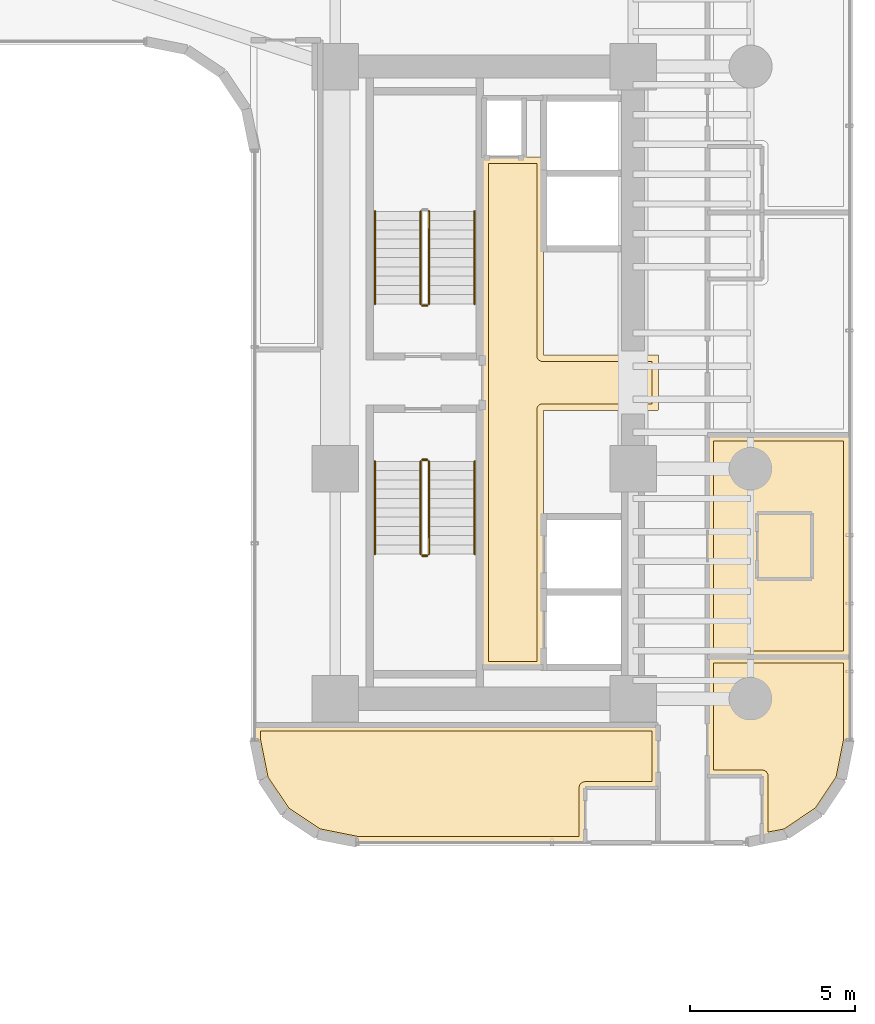
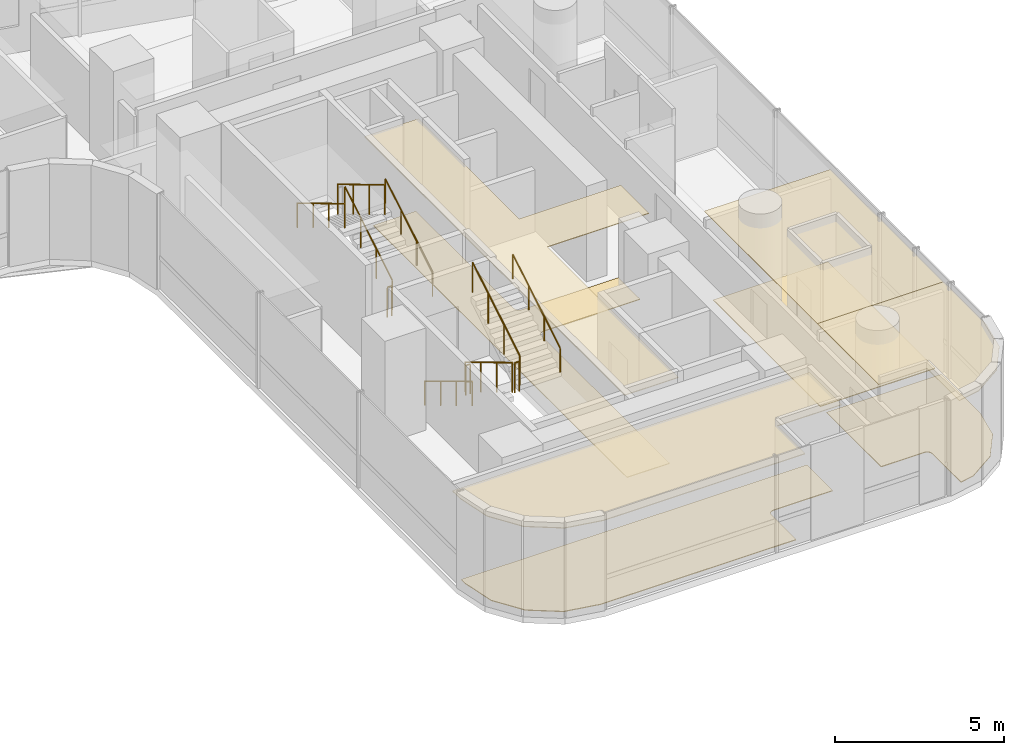
# One storey, part 38 of 40: 11 railings, 8 coverings.
"""IFC4 building model written with IfcOpenShell, lengths in metres."""

from ifc_helpers import new_model, si_unit, direction, frame, origin, origin_2d, place, context, subcontext, project, spatial, polyline, circle, outline, extrude, material, layer, layer_set, type_object, element, save


model = new_model("IFC4")

# Units and contexts
model_context = context("Model", 3, precision=1e-05, world=origin(), true_north=direction((0.0, 1.0)))
body_context = subcontext(model_context, "Body", "Model", "MODEL_VIEW")
ifc_project = project(units=[si_unit("LENGTHUNIT", "METRE"), si_unit("AREAUNIT", "SQUARE_METRE"), si_unit("VOLUMEUNIT", "CUBIC_METRE"), si_unit("PLANEANGLEUNIT", "RADIAN"), si_unit("MASSUNIT", "GRAM", prefix="KILO")], contexts=[model_context])

# Site, building, storey
site_placement = place(None, origin())
site = spatial("IfcSite", under=ifc_project, at=site_placement, CompositionType="ELEMENT")
building_placement = place(site_placement, origin())
building = spatial("IfcBuilding", under=site, at=building_placement, Name="Valdorenza Pilgrim Sanctuary Tower", CompositionType="ELEMENT")
storey_placement = place(building_placement, frame((0.0, 0.0, 66.699951171875)))
storey = spatial("IfcBuildingStorey", under=building, at=storey_placement, Name="L16", CompositionType="ELEMENT", Elevation=66.699951171875)

# Coverings
ifc_material_1 = material(Name="Micro-perforated acoustic mineral ceiling tile", Category="gypsum")
ifc_layer_1 = layer(ifc_material_1, 0.02490234375, Name="Micro-perforated acoustic mineral ceiling tile")
ifc_layer_set_1 = layer_set([ifc_layer_1], Name="Micro-perforated acoustic mineral ceiling tile")
covering_type_1 = type_object("IfcCoveringType", Name="COV-CLG-ACU", PredefinedType="CEILING", material=ifc_layer_set_1)
covering_1_placement = place(storey_placement, frame((0.0, 0.0, 3.16015625)))
element("IfcCovering", 1, at=covering_1_placement, inside=storey, type_object=covering_type_1, Name="L16 Core B Passenger Lift Lobby Acoustic Ceiling", PredefinedType="CEILING", context=body_context, shape_type="SweptSolid", body=[
    extrude(outline(polyline([(20.287109375, -0.814697265625), (20.287109375, 0.814697265625), (20.28662109375, 0.815185546875), (20.2861328125, 0.81640625), (20.28564453125, 0.81787109375), (20.285400390625, 0.819091796875), (20.28515625, 0.820556640625), (20.284912109375, 0.822021484375), (20.284912109375, 6.800048828125), (20.28515625, 6.801513671875), (20.285400390625, 6.802978515625), (20.28564453125, 6.804443359375), (20.2861328125, 6.8056640625), (20.286865234375, 6.80712890625), (20.28759765625, 6.808349609375), (20.288330078125, 6.8095703125), (20.289306640625, 6.810546875), (20.29052734375, 6.8115234375), (20.291748046875, 6.8125), (20.29296875, 6.813232421875), (20.294189453125, 6.81396484375), (20.295654296875, 6.814453125), (20.297119140625, 6.814697265625), (20.298583984375, 6.81494140625), (20.300048828125, 6.81494140625), (20.347900390625, 6.81494140625), (20.349365234375, 6.81494140625), (20.350830078125, 6.814697265625), (20.352294921875, 6.814453125), (20.353515625, 6.81396484375), (20.35498046875, 6.813232421875), (20.35546875, 6.81298828125), (21.544677734375, 6.81298828125), (21.545166015625, 6.813232421875), (21.54638671875, 6.81396484375), (21.5478515625, 6.814453125), (21.54931640625, 6.814697265625), (21.550537109375, 6.81494140625), (21.552001953125, 6.81494140625), (22.1201171875, 6.81494140625), (22.12158203125, 6.81494140625), (22.122802734375, 6.814697265625), (22.12451171875, 6.814453125), (22.125732421875, 6.81396484375), (22.127197265625, 6.813232421875), (22.12841796875, 6.8125), (22.12939453125, 6.8115234375), (22.130615234375, 6.810546875), (22.131591796875, 6.8095703125), (22.132568359375, 6.808349609375), (22.13330078125, 6.80712890625), (22.1337890625, 6.8056640625), (22.134521484375, 6.804443359375), (22.134765625, 6.802978515625), (22.135009765625, 6.801513671875), (22.135009765625, 6.800048828125), (22.135009765625, 0.8349609375), (25.60009765625, 0.8349609375), (25.6015625, 0.8349609375), (25.602783203125, 0.834716796875), (25.6044921875, 0.83447265625), (25.605712890625, 0.833984375), (25.607177734375, 0.833251953125), (25.6083984375, 0.83251953125), (25.609619140625, 0.83154296875), (25.610595703125, 0.83056640625), (25.611572265625, 0.82958984375), (25.612548828125, 0.828369140625), (25.61328125, 0.8271484375), (25.614013671875, 0.82568359375), (25.614501953125, 0.824462890625), (25.61474609375, 0.822998046875), (25.614990234375, 0.821533203125), (25.614990234375, 0.820068359375), (25.614990234375, -0.820068359375), (25.614990234375, -0.821533203125), (25.61474609375, -0.822998046875), (25.614501953125, -0.824462890625), (25.614013671875, -0.82568359375), (25.61328125, -0.8271484375), (25.612548828125, -0.828369140625), (25.611572265625, -0.82958984375), (25.610595703125, -0.83056640625), (25.609619140625, -0.83154296875), (25.6083984375, -0.83251953125), (25.607177734375, -0.833251953125), (25.605712890625, -0.833984375), (25.6044921875, -0.83447265625), (25.602783203125, -0.834716796875), (25.6015625, -0.8349609375), (25.60009765625, -0.8349609375), (22.135009765625, -0.8349609375), (22.135009765625, -8.60009765625), (22.135009765625, -8.6015625), (22.134765625, -8.602783203125), (22.134521484375, -8.6044921875), (22.1337890625, -8.605712890625), (22.13330078125, -8.607177734375), (22.132568359375, -8.6083984375), (22.131591796875, -8.609619140625), (22.130615234375, -8.610595703125), (22.12939453125, -8.611572265625), (22.12841796875, -8.612548828125), (22.127197265625, -8.61328125), (22.125732421875, -8.614013671875), (22.12451171875, -8.614501953125), (22.122802734375, -8.61474609375), (22.12158203125, -8.614990234375), (22.1201171875, -8.614990234375), (20.300048828125, -8.614990234375), (20.298583984375, -8.614990234375), (20.297119140625, -8.61474609375), (20.295654296875, -8.614501953125), (20.294189453125, -8.614013671875), (20.29296875, -8.61328125), (20.291748046875, -8.612548828125), (20.29052734375, -8.611572265625), (20.289306640625, -8.610595703125), (20.288330078125, -8.609619140625), (20.28759765625, -8.6083984375), (20.286865234375, -8.607177734375), (20.2861328125, -8.605712890625), (20.28564453125, -8.6044921875), (20.285400390625, -8.602783203125), (20.28515625, -8.6015625), (20.284912109375, -8.60009765625), (20.284912109375, -0.822021484375), (20.28515625, -0.820556640625), (20.285400390625, -0.819091796875), (20.28564453125, -0.81787109375), (20.2861328125, -0.81640625), (20.28662109375, -0.815185546875), (20.287109375, -0.814697265625)])), origin(), (0.0, 0.0, 1.0), 0.02490234375),
])
covering_2_placement = place(storey_placement, frame((0.0, 0.0, 3.16015625)))
element("IfcCovering", 2, at=covering_2_placement, inside=storey, type_object=covering_type_1, Name="L16 East South Guest Room L16-ES1 Acoustic Ceiling", PredefinedType="CEILING", context=body_context, shape_type="SweptSolid", body=[
    extrude(outline(polyline([(23.4130859375, -12.2529296875), (23.4130859375, -13.889892578125), (23.412841796875, -13.8916015625), (23.41259765625, -13.892822265625), (23.412353515625, -13.894287109375), (23.411865234375, -13.895751953125), (23.4111328125, -13.897216796875), (23.410400390625, -13.898193359375), (23.40966796875, -13.8994140625), (23.40869140625, -13.900634765625), (23.407470703125, -13.901611328125), (23.40625, -13.902587890625), (23.405029296875, -13.9033203125), (23.40380859375, -13.90380859375), (23.40234375, -13.904296875), (23.40087890625, -13.90478515625), (23.3994140625, -13.90478515625), (23.39794921875, -13.905029296875), (16.5107421875, -13.905029296875), (16.509521484375, -13.90478515625), (16.5078125, -13.90478515625), (15.3154296875, -13.66748046875), (15.31396484375, -13.6669921875), (15.3125, -13.66650390625), (15.311279296875, -13.666015625), (15.31005859375, -13.665283203125), (14.308349609375, -12.995849609375), (14.30712890625, -12.9951171875), (14.305908203125, -12.993896484375), (14.304931640625, -12.992919921875), (14.30419921875, -12.99169921875), (13.634765625, -11.989990234375), (13.634033203125, -11.98876953125), (13.63330078125, -11.9873046875), (13.6328125, -11.986083984375), (13.632568359375, -11.984619140625), (13.395263671875, -10.7919921875), (13.39501953125, -10.79052734375), (13.39501953125, -10.789306640625), (13.39501953125, -10.35009765625), (13.39501953125, -10.348388671875), (13.395263671875, -10.34716796875), (13.3955078125, -10.345703125), (13.39599609375, -10.34423828125), (13.396728515625, -10.343017578125), (13.3974609375, -10.341796875), (13.3984375, -10.340576171875), (13.3994140625, -10.33935546875), (13.400390625, -10.33837890625), (13.401611328125, -10.33740234375), (13.40283203125, -10.3369140625), (13.404296875, -10.336181640625), (13.405517578125, -10.335693359375), (13.406982421875, -10.335205078125), (13.408447265625, -10.335205078125), (13.409912109375, -10.3349609375), (25.60009765625, -10.3349609375), (25.6015625, -10.335205078125), (25.602783203125, -10.335205078125), (25.6044921875, -10.335693359375), (25.605712890625, -10.336181640625), (25.607177734375, -10.3369140625), (25.6083984375, -10.33740234375), (25.609619140625, -10.33837890625), (25.610595703125, -10.33935546875), (25.611572265625, -10.340576171875), (25.612548828125, -10.341796875), (25.61328125, -10.343017578125), (25.614013671875, -10.34423828125), (25.614501953125, -10.345703125), (25.61474609375, -10.34716796875), (25.614990234375, -10.348388671875), (25.614990234375, -10.35009765625), (25.614990234375, -12.238037109375), (25.614990234375, -12.239501953125), (25.61474609375, -12.240966796875), (25.614501953125, -12.242431640625), (25.614013671875, -12.24365234375), (25.61328125, -12.2451171875), (25.612548828125, -12.246337890625), (25.611572265625, -12.24755859375), (25.610595703125, -12.24853515625), (25.609619140625, -12.24951171875), (25.6083984375, -12.25048828125), (25.607177734375, -12.251220703125), (25.605712890625, -12.251953125), (25.6044921875, -12.25244140625), (25.602783203125, -12.252685546875), (25.6015625, -12.2529296875), (25.60009765625, -12.2529296875), (23.4130859375, -12.2529296875)])), origin(), (0.0, 0.0, 1.0), 0.02490234375),
])
covering_3_placement = place(storey_placement, frame((0.0, 0.0, 3.16015625)))
element("IfcCovering", 3, at=covering_3_placement, inside=storey, type_object=covering_type_1, Name="L16 East Sanctuary Guest Room L16-EG1 Acoustic Ceiling", PredefinedType="CEILING", context=body_context, shape_type="SweptSolid", body=[
    extrude(outline(polyline([(28.737060546875, -11.903076171875), (27.10009765625, -11.903076171875), (27.098388671875, -11.90283203125), (27.09716796875, -11.902587890625), (27.095703125, -11.90234375), (27.09423828125, -11.90185546875), (27.093017578125, -11.901123046875), (27.091796875, -11.900390625), (27.090576171875, -11.899658203125), (27.08935546875, -11.898681640625), (27.08837890625, -11.8974609375), (27.08740234375, -11.896240234375), (27.0869140625, -11.89501953125), (27.086181640625, -11.893798828125), (27.085693359375, -11.892333984375), (27.085205078125, -11.890869140625), (27.085205078125, -11.889404296875), (27.0849609375, -11.887939453125), (27.0849609375, -8.287109375), (27.085205078125, -8.285400390625), (27.085205078125, -8.2841796875), (27.085693359375, -8.28271484375), (27.086181640625, -8.28125), (27.0869140625, -8.27978515625), (27.08740234375, -8.27880859375), (27.08837890625, -8.277587890625), (27.08935546875, -8.2763671875), (27.090576171875, -8.275390625), (27.091796875, -8.2744140625), (27.093017578125, -8.273681640625), (27.09423828125, -8.273193359375), (27.095703125, -8.272705078125), (27.09716796875, -8.272216796875), (27.098388671875, -8.272216796875), (27.10009765625, -8.27197265625), (31.389892578125, -8.27197265625), (31.3916015625, -8.272216796875), (31.392822265625, -8.272216796875), (31.394287109375, -8.272705078125), (31.395751953125, -8.273193359375), (31.397216796875, -8.273681640625), (31.398193359375, -8.2744140625), (31.3994140625, -8.275390625), (31.400634765625, -8.2763671875), (31.401611328125, -8.277587890625), (31.402587890625, -8.27880859375), (31.4033203125, -8.27978515625), (31.40380859375, -8.28125), (31.404296875, -8.28271484375), (31.40478515625, -8.2841796875), (31.40478515625, -8.285400390625), (31.405029296875, -8.287109375), (31.405029296875, -10.789306640625), (31.40478515625, -10.79052734375), (31.40478515625, -10.7919921875), (31.16748046875, -11.984619140625), (31.1669921875, -11.986083984375), (31.16650390625, -11.9873046875), (31.166015625, -11.98876953125), (31.165283203125, -11.989990234375), (30.495849609375, -12.99169921875), (30.4951171875, -12.992919921875), (30.493896484375, -12.993896484375), (30.492919921875, -12.9951171875), (30.49169921875, -12.995849609375), (29.489990234375, -13.665283203125), (29.48876953125, -13.666015625), (29.4873046875, -13.66650390625), (29.486083984375, -13.6669921875), (29.484619140625, -13.66748046875), (28.7548828125, -13.8125), (28.75341796875, -13.81298828125), (28.751953125, -13.81298828125), (28.75048828125, -13.81298828125), (28.7490234375, -13.8125), (28.74755859375, -13.812255859375), (28.746337890625, -13.811767578125), (28.744873046875, -13.811279296875), (28.74365234375, -13.810302734375), (28.742431640625, -13.8095703125), (28.741455078125, -13.80859375), (28.740478515625, -13.807373046875), (28.739501953125, -13.806396484375), (28.73876953125, -13.804931640625), (28.738037109375, -13.8037109375), (28.737548828125, -13.80224609375), (28.7373046875, -13.80078125), (28.737060546875, -13.79931640625), (28.737060546875, -13.7978515625), (28.737060546875, -11.903076171875)])), origin(), (0.0, 0.0, 1.0), 0.02490234375),
])
covering_4_placement = place(storey_placement, frame((0.0, 0.0, 3.16015625)))
element("IfcCovering", 4, at=covering_4_placement, inside=storey, type_object=covering_type_1, Name="L16 East Sanctuary Guest Room L16-EG2 Acoustic Ceiling", PredefinedType="CEILING", context=body_context, shape_type="SweptSolid", body=[
    extrude(outline(polyline([(31.389892578125, -1.56005859375), (31.3916015625, -1.56005859375), (31.392822265625, -1.560302734375), (31.394287109375, -1.560546875), (31.395751953125, -1.56103515625), (31.397216796875, -1.561767578125), (31.398193359375, -1.5625), (31.3994140625, -1.5634765625), (31.400634765625, -1.564453125), (31.401611328125, -1.5654296875), (31.402587890625, -1.566650390625), (31.4033203125, -1.56787109375), (31.40380859375, -1.5693359375), (31.404296875, -1.570556640625), (31.40478515625, -1.572021484375), (31.40478515625, -1.573486328125), (31.405029296875, -1.574951171875), (31.405029296875, -8.284912109375), (31.40478515625, -8.28662109375), (31.40478515625, -8.287841796875), (31.404296875, -8.289306640625), (31.40380859375, -8.290771484375), (31.4033203125, -8.2919921875), (31.402587890625, -8.293212890625), (31.401611328125, -8.29443359375), (31.400634765625, -8.295654296875), (31.3994140625, -8.296630859375), (31.398193359375, -8.297607421875), (31.397216796875, -8.298095703125), (31.395751953125, -8.298828125), (31.394287109375, -8.29931640625), (31.392822265625, -8.2998046875), (31.3916015625, -8.2998046875), (31.389892578125, -8.300048828125), (27.10009765625, -8.300048828125), (27.098388671875, -8.2998046875), (27.09716796875, -8.2998046875), (27.095703125, -8.29931640625), (27.09423828125, -8.298828125), (27.093017578125, -8.298095703125), (27.091796875, -8.297607421875), (27.090576171875, -8.296630859375), (27.08935546875, -8.295654296875), (27.08837890625, -8.29443359375), (27.08740234375, -8.293212890625), (27.0869140625, -8.2919921875), (27.086181640625, -8.290771484375), (27.085693359375, -8.289306640625), (27.085205078125, -8.287841796875), (27.085205078125, -8.28662109375), (27.0849609375, -8.284912109375), (27.0849609375, -1.574951171875), (27.085205078125, -1.573486328125), (27.085205078125, -1.572021484375), (27.085693359375, -1.570556640625), (27.086181640625, -1.5693359375), (27.0869140625, -1.56787109375), (27.08740234375, -1.566650390625), (27.08837890625, -1.5654296875), (27.08935546875, -1.564453125), (27.090576171875, -1.5634765625), (27.091796875, -1.5625), (27.093017578125, -1.561767578125), (27.09423828125, -1.56103515625), (27.095703125, -1.560546875), (27.09716796875, -1.560302734375), (27.098388671875, -1.56005859375), (27.10009765625, -1.56005859375), (31.389892578125, -1.56005859375)])), origin(), (0.0, 0.0, 1.0), 0.02490234375),
])
ifc_material_2 = material(Name="Engineered European oak timber flooring", Category="wood")
ifc_layer_2 = layer(ifc_material_2, 0.02197265625, Name="Engineered European oak timber flooring")
ifc_layer_set_2 = layer_set([ifc_layer_2], Name="Engineered European oak timber flooring")
covering_type_2 = type_object("IfcCoveringType", Name="COV-FLR-OAK", PredefinedType="FLOORING", material=ifc_layer_set_2)
covering_5_placement = place(storey_placement, origin())
element("IfcCovering", 5, at=covering_5_placement, inside=storey, type_object=covering_type_2, Name="L16 East South Guest Room L16-ES1 Flooring", PredefinedType="FLOORING", context=body_context, shape_type="SweptSolid", body=[
    extrude(outline(polyline([(25.419921875, -10.530029296875), (25.419921875, -12.05810546875), (23.39990234375, -12.05810546875), (23.39111328125, -12.05810546875), (23.39111328125, -12.05810546875), (23.373291015625, -12.06005859375), (23.373291015625, -12.06005859375), (23.35595703125, -12.0634765625), (23.355712890625, -12.0634765625), (23.3388671875, -12.068603515625), (23.338623046875, -12.068603515625), (23.322265625, -12.075439453125), (23.322021484375, -12.075439453125), (23.306396484375, -12.083740234375), (23.306396484375, -12.083984375), (23.291748046875, -12.09375), (23.29150390625, -12.093994140625), (23.27783203125, -12.10498046875), (23.277587890625, -12.105224609375), (23.26513671875, -12.11767578125), (23.26513671875, -12.117919921875), (23.25390625, -12.131591796875), (23.25390625, -12.131591796875), (23.243896484375, -12.146484375), (23.243896484375, -12.146484375), (23.235595703125, -12.162109375), (23.2353515625, -12.162353515625), (23.228759765625, -12.1787109375), (23.228515625, -12.1787109375), (23.223388671875, -12.19580078125), (23.223388671875, -12.19580078125), (23.219970703125, -12.213134765625), (23.219970703125, -12.21337890625), (23.21826171875, -12.23095703125), (23.21826171875, -12.231201171875), (23.218017578125, -12.239990234375), (23.218017578125, -13.7099609375), (16.528564453125, -13.7099609375), (15.388671875, -13.483154296875), (14.4462890625, -12.853515625), (13.81689453125, -11.911376953125), (13.590087890625, -10.771484375), (13.590087890625, -10.530029296875), (25.419921875, -10.530029296875)])), origin(), (0.0, 0.0, 1.0), 0.025146484375),
])
covering_6_placement = place(storey_placement, origin())
element("IfcCovering", 6, at=covering_6_placement, inside=storey, type_object=covering_type_2, Name="L16 East Sanctuary Guest Room L16-EG1 Flooring", PredefinedType="FLOORING", context=body_context, shape_type="SweptSolid", body=[
    extrude(outline(polyline([(31.2099609375, -10.771484375), (30.983154296875, -11.911376953125), (30.353515625, -12.853515625), (29.411376953125, -13.483154296875), (28.931884765625, -13.57861328125), (28.931884765625, -11.889892578125), (28.931884765625, -11.881103515625), (28.931884765625, -11.881103515625), (28.929931640625, -11.86328125), (28.929931640625, -11.86328125), (28.926513671875, -11.845947265625), (28.926513671875, -11.845703125), (28.92138671875, -11.828857421875), (28.92138671875, -11.82861328125), (28.91455078125, -11.812255859375), (28.91455078125, -11.81201171875), (28.90625, -11.79638671875), (28.906005859375, -11.79638671875), (28.896240234375, -11.78173828125), (28.89599609375, -11.781494140625), (28.885009765625, -11.767822265625), (28.884765625, -11.767578125), (28.872314453125, -11.755126953125), (28.8720703125, -11.755126953125), (28.8583984375, -11.743896484375), (28.8583984375, -11.743896484375), (28.843505859375, -11.73388671875), (28.843505859375, -11.73388671875), (28.827880859375, -11.7255859375), (28.82763671875, -11.725341796875), (28.811279296875, -11.71875), (28.811279296875, -11.718505859375), (28.794189453125, -11.71337890625), (28.794189453125, -11.71337890625), (28.77685546875, -11.7099609375), (28.776611328125, -11.7099609375), (28.759033203125, -11.708251953125), (28.7587890625, -11.708251953125), (28.75, -11.7080078125), (27.280029296875, -11.7080078125), (27.280029296875, -8.467041015625), (31.2099609375, -8.467041015625), (31.2099609375, -10.771484375)])), origin(), (0.0, 0.0, 1.0), 0.025146484375),
])
covering_7_placement = place(storey_placement, origin())
element("IfcCovering", 7, at=covering_7_placement, inside=storey, type_object=covering_type_2, Name="L16 East Sanctuary Guest Room L16-EG2 Flooring", PredefinedType="FLOORING", context=body_context, shape_type="SweptSolid", body=[
    extrude(outline(polyline([(31.2099609375, -1.7548828125), (31.2099609375, -8.10498046875), (27.280029296875, -8.10498046875), (27.280029296875, -1.7548828125), (31.2099609375, -1.7548828125)])), origin(), (0.0, 0.0, 1.0), 0.025146484375),
])
ifc_material_3 = material(Name="Honed travertine stone flooring", Category="masonry")
ifc_layer_3 = layer(ifc_material_3, 0.030029296875, Name="Honed travertine stone flooring")
ifc_layer_set_3 = layer_set([ifc_layer_3], Name="Honed travertine stone flooring")
covering_type_3 = type_object("IfcCoveringType", Name="COV-FLR-TRV", PredefinedType="FLOORING", material=ifc_layer_set_3)
covering_8_placement = place(storey_placement, origin())
element("IfcCovering", 8, at=covering_8_placement, inside=storey, type_object=covering_type_3, Name="L16 Core B Passenger Lift Lobby Flooring", PredefinedType="FLOORING", context=body_context, shape_type="SweptSolid", body=[
    extrude(outline(polyline([(20.47998046875, 6.617919921875), (21.550048828125, 6.617919921875), (21.550537109375, 6.617919921875), (21.93994140625, 6.619384765625), (21.93994140625, 0.820068359375), (21.94091796875, 0.802490234375), (21.943603515625, 0.784912109375), (21.94775390625, 0.767578125), (21.95361328125, 0.751220703125), (21.961181640625, 0.735107421875), (21.97021484375, 0.719970703125), (21.98095703125, 0.705810546875), (21.99267578125, 0.692626953125), (22.005859375, 0.680908203125), (22.02001953125, 0.67041015625), (22.03515625, 0.661376953125), (22.051025390625, 0.65380859375), (22.067626953125, 0.647705078125), (22.0849609375, 0.6435546875), (22.102294921875, 0.640869140625), (22.1201171875, 0.639892578125), (25.419921875, 0.639892578125), (25.419921875, -0.639892578125), (22.1201171875, -0.639892578125), (22.102294921875, -0.640869140625), (22.0849609375, -0.6435546875), (22.067626953125, -0.647705078125), (22.051025390625, -0.65380859375), (22.03515625, -0.661376953125), (22.02001953125, -0.67041015625), (22.005859375, -0.680908203125), (21.99267578125, -0.692626953125), (21.98095703125, -0.705810546875), (21.97021484375, -0.719970703125), (21.961181640625, -0.735107421875), (21.95361328125, -0.751220703125), (21.94775390625, -0.767578125), (21.943603515625, -0.784912109375), (21.94091796875, -0.802490234375), (21.93994140625, -0.820068359375), (21.93994140625, -8.419921875), (20.47998046875, -8.419921875), (20.47998046875, -0.846923828125), (20.47998046875, -0.8466796875), (20.47998046875, -0.8466796875), (20.481689453125, -0.8291015625), (20.481689453125, -0.828857421875), (20.48193359375, -0.820068359375), (20.48193359375, 0.820068359375), (20.47998046875, 6.617919921875)])), origin(), (0.0, 0.0, 1.0), 0.025146484375),
])

# Railings
ifc_material_4 = material(Name="Stainless steel Grade 316", Category="steel")
railing_type_1 = type_object("IfcRailingType", Name="RLG-GRD-1120", PredefinedType="GUARDRAIL", material=ifc_material_4)
railing_1_placement = place(storey_placement, frame((18.679931640625, 2.3798828125, 0.168212890625)))
element("IfcRailing", 9, at=railing_1_placement, inside=storey, type_object=railing_type_1, Name="L16 ST-B1 stair guard 1", PredefinedType="GUARDRAIL", context=body_context, shape_type="SweptSolid", body=[
    extrude(circle(Radius=0.02392578125, at=origin_2d()), frame((0.0, 0.0, 1.076171875), z_axis=(0.0, 0.857242210791, 0.514913383045), x_axis=(-1.0, 0.0, 0.0)), (0.0, 0.0, 1.0), 3.266357421875),
    extrude(circle(Radius=0.02099609375, at=origin_2d()), origin(), (0.0, 0.0, 1.0), 1.052001953125),
    extrude(circle(Radius=0.02099609375, at=origin_2d()), frame((0.0, 0.933349609375, 0.560546875)), (0.0, 0.0, 1.0), 1.052001953125),
    extrude(circle(Radius=0.02099609375, at=origin_2d()), frame((0.0, 1.86669921875, 1.121337890625)), (0.0, 0.0, 1.0), 1.052001953125),
    extrude(circle(Radius=0.02099609375, at=origin_2d()), frame((0.0, 2.800048828125, 1.681884765625)), (0.0, 0.0, 1.0), 1.052001953125),
])
railing_2_placement = place(storey_placement, frame((18.429931640625, 5.179931640625, 2.018310546875)))
element("IfcRailing", 10, at=railing_2_placement, inside=storey, type_object=railing_type_1, Name="L16 ST-B1 stair guard 3", PredefinedType="GUARDRAIL", context=body_context, shape_type="SweptSolid", body=[
    extrude(circle(Radius=0.02392578125, at=origin_2d()), frame((0.0, 0.0, 1.076171875), z_axis=(0.0, -0.857275202839, 0.514858452973), x_axis=(1.0, 0.0, 0.0)), (0.0, 0.0, 1.0), 3.26611328125),
    extrude(circle(Radius=0.02099609375, at=origin_2d()), origin(), (0.0, 0.0, 1.0), 1.052001953125),
    extrude(circle(Radius=0.02099609375, at=origin_2d()), frame((0.0, -0.933349609375, 0.560546875)), (0.0, 0.0, 1.0), 1.052001953125),
    extrude(circle(Radius=0.02099609375, at=origin_2d()), frame((0.0, -1.86669921875, 1.12109375)), (0.0, 0.0, 1.0), 1.052001953125),
    extrude(circle(Radius=0.02099609375, at=origin_2d()), frame((0.0, -2.800048828125, 1.681640625)), (0.0, 0.0, 1.0), 1.052001953125),
])
railing_3_placement = place(storey_placement, frame((18.6298828125, 2.330078125, 0.0)))
element("IfcRailing", 11, at=railing_3_placement, inside=storey, type_object=railing_type_1, Name="L16 ST-B1 stair guard 4", PredefinedType="GUARDRAIL", context=body_context, shape_type="SweptSolid", body=[
    extrude(circle(Radius=0.02392578125, at=origin_2d()), frame((0.0, 0.0, 1.076171875), z_axis=(-1.0, 0.0, 0.0), x_axis=(0.0, -1.0, 0.0)), (0.0, 0.0, 1.0), 0.14990234375),
    extrude(circle(Radius=0.02099609375, at=origin_2d()), origin(), (0.0, 0.0, 1.0), 1.052001953125),
    extrude(circle(Radius=0.02099609375, at=origin_2d()), frame((-0.14990234375, 0.0, 0.0)), (0.0, 0.0, 1.0), 1.052001953125),
])
railing_4_placement = place(storey_placement, frame((18.429931640625, -2.3798828125, 0.168212890625)))
element("IfcRailing", 12, at=railing_4_placement, inside=storey, type_object=railing_type_1, Name="L16 ST-B2 stair guard 1", PredefinedType="GUARDRAIL", context=body_context, shape_type="SweptSolid", body=[
    extrude(circle(Radius=0.02392578125, at=origin_2d()), frame((0.0, 0.0, 1.076171875), z_axis=(0.0, -0.857242210791, 0.514913383045), x_axis=(1.0, 0.0, 0.0)), (0.0, 0.0, 1.0), 3.266357421875),
    extrude(circle(Radius=0.02099609375, at=origin_2d()), origin(), (0.0, 0.0, 1.0), 1.052001953125),
    extrude(circle(Radius=0.02099609375, at=origin_2d()), frame((0.0, -0.933349609375, 0.560546875)), (0.0, 0.0, 1.0), 1.052001953125),
    extrude(circle(Radius=0.02099609375, at=origin_2d()), frame((0.0, -1.86669921875, 1.121337890625)), (0.0, 0.0, 1.0), 1.052001953125),
    extrude(circle(Radius=0.02099609375, at=origin_2d()), frame((0.0, -2.800048828125, 1.681884765625)), (0.0, 0.0, 1.0), 1.052001953125),
])
railing_5_placement = place(storey_placement, frame((18.47998046875, -5.22998046875, 1.85009765625)))
element("IfcRailing", 13, at=railing_5_placement, inside=storey, type_object=railing_type_1, Name="L16 ST-B2 stair guard 2", PredefinedType="GUARDRAIL", context=body_context, shape_type="SweptSolid", body=[
    extrude(circle(Radius=0.02392578125, at=origin_2d()), frame((0.0, 0.0, 1.076171875), z_axis=(1.0, 0.0, 0.0), x_axis=(0.0, 1.0, 0.0)), (0.0, 0.0, 1.0), 0.14990234375),
    extrude(circle(Radius=0.02099609375, at=origin_2d()), origin(), (0.0, 0.0, 1.0), 1.052001953125),
    extrude(circle(Radius=0.02099609375, at=origin_2d()), frame((0.14990234375, 0.0, 0.0)), (0.0, 0.0, 1.0), 1.052001953125),
])
railing_6_placement = place(storey_placement, frame((18.679931640625, -5.179931640625, 2.018310546875)))
element("IfcRailing", 14, at=railing_6_placement, inside=storey, type_object=railing_type_1, Name="L16 ST-B2 stair guard 3", PredefinedType="GUARDRAIL", context=body_context, shape_type="SweptSolid", body=[
    extrude(circle(Radius=0.02392578125, at=origin_2d()), frame((0.0, 0.0, 1.076171875), z_axis=(0.0, 0.857275202839, 0.514858452973), x_axis=(-1.0, 0.0, 0.0)), (0.0, 0.0, 1.0), 3.26611328125),
    extrude(circle(Radius=0.02099609375, at=origin_2d()), origin(), (0.0, 0.0, 1.0), 1.052001953125),
    extrude(circle(Radius=0.02099609375, at=origin_2d()), frame((0.0, 0.933349609375, 0.560546875)), (0.0, 0.0, 1.0), 1.052001953125),
    extrude(circle(Radius=0.02099609375, at=origin_2d()), frame((0.0, 1.86669921875, 1.12109375)), (0.0, 0.0, 1.0), 1.052001953125),
    extrude(circle(Radius=0.02099609375, at=origin_2d()), frame((0.0, 2.800048828125, 1.681640625)), (0.0, 0.0, 1.0), 1.052001953125),
])
railing_7_placement = place(storey_placement, frame((18.47998046875, -2.330078125, 0.0)))
element("IfcRailing", 15, at=railing_7_placement, inside=storey, type_object=railing_type_1, Name="L16 ST-B2 stair guard 4", PredefinedType="GUARDRAIL", context=body_context, shape_type="SweptSolid", body=[
    extrude(circle(Radius=0.02392578125, at=origin_2d()), frame((0.0, 0.0, 1.076171875), z_axis=(1.0, 0.0, 0.0), x_axis=(0.0, 1.0, 0.0)), (0.0, 0.0, 1.0), 0.14990234375),
    extrude(circle(Radius=0.02099609375, at=origin_2d()), origin(), (0.0, 0.0, 1.0), 1.052001953125),
    extrude(circle(Radius=0.02099609375, at=origin_2d()), frame((0.14990234375, 0.0, 0.0)), (0.0, 0.0, 1.0), 1.052001953125),
])
ifc_material_5 = material(Name="Brushed stainless steel Grade 316", Category="steel")
railing_type_2 = type_object("IfcRailingType", Name="RLG-HND-920", PredefinedType="HANDRAIL", material=ifc_material_5)
railing_8_placement = place(storey_placement, frame((20.06005859375, 2.3798828125, 0.168212890625)))
element("IfcRailing", 16, at=railing_8_placement, inside=storey, type_object=railing_type_2, Name="L16 ST-B1 stair handrail 1", PredefinedType="HANDRAIL", context=body_context, shape_type="SweptSolid", body=[
    extrude(circle(Radius=0.02392578125, at=origin_2d()), frame((0.0, 0.0, 0.8759765625), z_axis=(0.0, 0.857242210791, 0.514913383045), x_axis=(-1.0, 0.0, 0.0)), (0.0, 0.0, 1.0), 3.266357421875),
    extrude(circle(Radius=0.02099609375, at=origin_2d()), origin(), (0.0, 0.0, 1.0), 0.851806640625),
    extrude(circle(Radius=0.02099609375, at=origin_2d()), frame((0.0, 0.933349609375, 0.560546875)), (0.0, 0.0, 1.0), 0.851806640625),
    extrude(circle(Radius=0.02099609375, at=origin_2d()), frame((0.0, 1.86669921875, 1.121337890625)), (0.0, 0.0, 1.0), 0.851806640625),
    extrude(circle(Radius=0.02099609375, at=origin_2d()), frame((0.0, 2.800048828125, 1.681884765625)), (0.0, 0.0, 1.0), 0.851806640625),
])
railing_9_placement = place(storey_placement, frame((17.050048828125, 5.179931640625, 2.018310546875)))
element("IfcRailing", 17, at=railing_9_placement, inside=storey, type_object=railing_type_2, Name="L16 ST-B1 stair handrail 2", PredefinedType="HANDRAIL", context=body_context, shape_type="SweptSolid", body=[
    extrude(circle(Radius=0.02392578125, at=origin_2d()), frame((0.0, 0.0, 0.8759765625), z_axis=(0.0, -0.857275202839, 0.514858452973), x_axis=(1.0, 0.0, 0.0)), (0.0, 0.0, 1.0), 3.26611328125),
    extrude(circle(Radius=0.02099609375, at=origin_2d()), origin(), (0.0, 0.0, 1.0), 0.851806640625),
    extrude(circle(Radius=0.02099609375, at=origin_2d()), frame((0.0, -0.933349609375, 0.560546875)), (0.0, 0.0, 1.0), 0.851806640625),
    extrude(circle(Radius=0.02099609375, at=origin_2d()), frame((0.0, -1.86669921875, 1.12109375)), (0.0, 0.0, 1.0), 0.851806640625),
    extrude(circle(Radius=0.02099609375, at=origin_2d()), frame((0.0, -2.800048828125, 1.681640625)), (0.0, 0.0, 1.0), 0.851806640625),
])
railing_10_placement = place(storey_placement, frame((17.050048828125, -2.3798828125, 0.168212890625)))
element("IfcRailing", 18, at=railing_10_placement, inside=storey, type_object=railing_type_2, Name="L16 ST-B2 stair handrail 1", PredefinedType="HANDRAIL", context=body_context, shape_type="SweptSolid", body=[
    extrude(circle(Radius=0.02392578125, at=origin_2d()), frame((0.0, 0.0, 0.8759765625), z_axis=(0.0, -0.857242210791, 0.514913383045), x_axis=(1.0, 0.0, 0.0)), (0.0, 0.0, 1.0), 3.266357421875),
    extrude(circle(Radius=0.02099609375, at=origin_2d()), origin(), (0.0, 0.0, 1.0), 0.851806640625),
    extrude(circle(Radius=0.02099609375, at=origin_2d()), frame((0.0, -0.933349609375, 0.560546875)), (0.0, 0.0, 1.0), 0.851806640625),
    extrude(circle(Radius=0.02099609375, at=origin_2d()), frame((0.0, -1.86669921875, 1.121337890625)), (0.0, 0.0, 1.0), 0.851806640625),
    extrude(circle(Radius=0.02099609375, at=origin_2d()), frame((0.0, -2.800048828125, 1.681884765625)), (0.0, 0.0, 1.0), 0.851806640625),
])
railing_11_placement = place(storey_placement, frame((20.06005859375, -5.179931640625, 2.018310546875)))
element("IfcRailing", 19, at=railing_11_placement, inside=storey, type_object=railing_type_2, Name="L16 ST-B2 stair handrail 2", PredefinedType="HANDRAIL", context=body_context, shape_type="SweptSolid", body=[
    extrude(circle(Radius=0.02392578125, at=origin_2d()), frame((0.0, 0.0, 0.8759765625), z_axis=(0.0, 0.857275202839, 0.514858452973), x_axis=(-1.0, 0.0, 0.0)), (0.0, 0.0, 1.0), 3.26611328125),
    extrude(circle(Radius=0.02099609375, at=origin_2d()), origin(), (0.0, 0.0, 1.0), 0.851806640625),
    extrude(circle(Radius=0.02099609375, at=origin_2d()), frame((0.0, 0.933349609375, 0.560546875)), (0.0, 0.0, 1.0), 0.851806640625),
    extrude(circle(Radius=0.02099609375, at=origin_2d()), frame((0.0, 1.86669921875, 1.12109375)), (0.0, 0.0, 1.0), 0.851806640625),
    extrude(circle(Radius=0.02099609375, at=origin_2d()), frame((0.0, 2.800048828125, 1.681640625)), (0.0, 0.0, 1.0), 0.851806640625),
])

save(model, "model.ifc")
